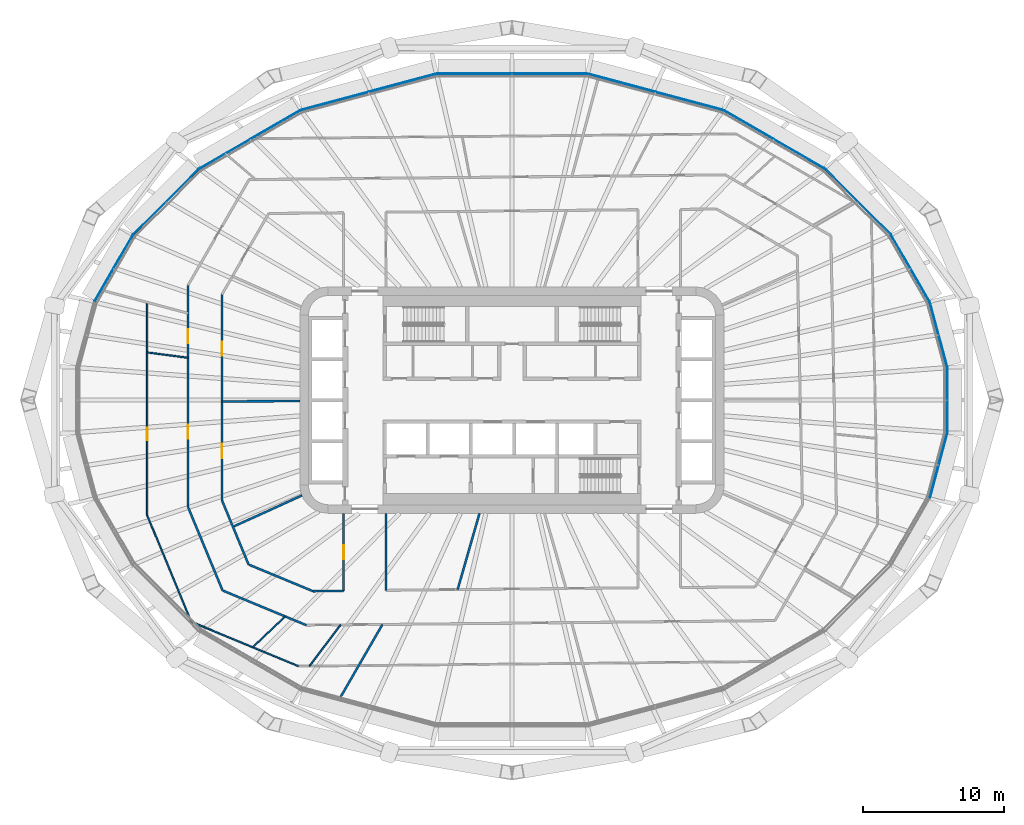
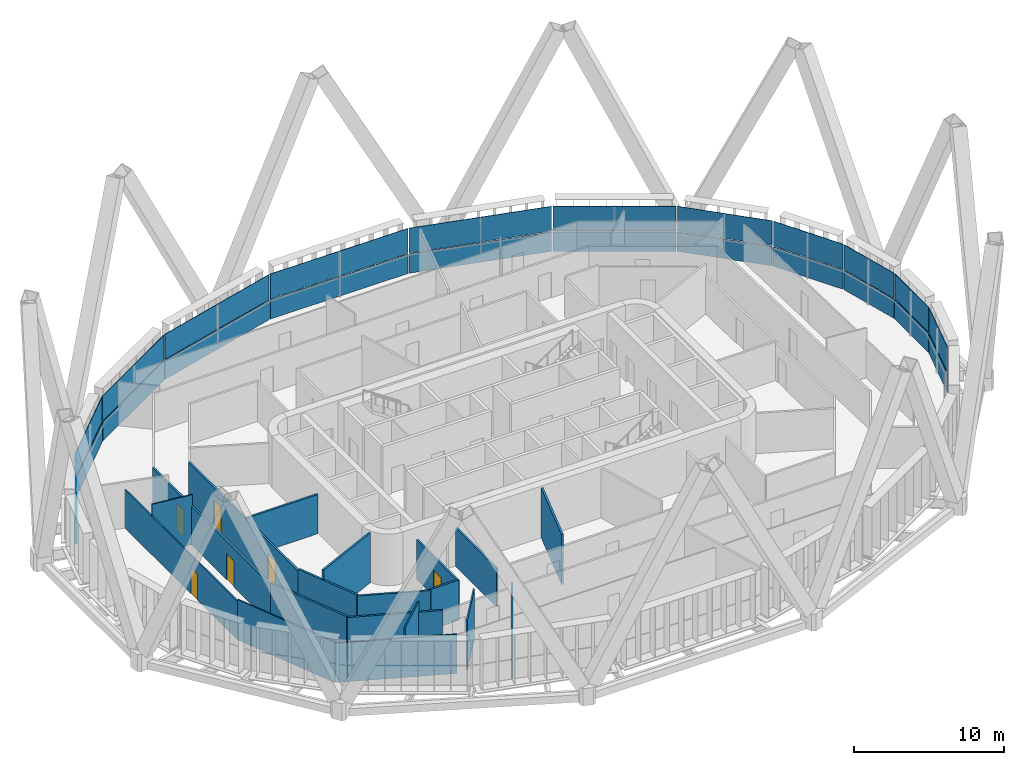
# One storey, part 13 of 25: 24 plates, 19 walls, 6 doors, 6 openings, 12 elements without a shape of their own.
"""IFC4 building model written with IfcOpenShell, lengths in metres."""

from ifc_helpers import new_model, si_unit, direction, frame, frame_2d, origin, place, context, subcontext, project, spatial, polyline, rectangle, outline, extrude, material, layer, layer_set, type_object, element, fill, aggregate, save


model = new_model("IFC4")

# Units and contexts
model_context = context("Model", 3, precision=1e-05, world=origin(), true_north=direction((0.0, 1.0)))
body_context = subcontext(model_context, "Body", "Model", "MODEL_VIEW")
ifc_project = project(units=[si_unit("LENGTHUNIT", "METRE"), si_unit("AREAUNIT", "SQUARE_METRE"), si_unit("VOLUMEUNIT", "CUBIC_METRE"), si_unit("PLANEANGLEUNIT", "RADIAN"), si_unit("MASSUNIT", "GRAM", prefix="KILO")], contexts=[model_context])

# Site, building, storey
site_placement = place(None, origin())
site = spatial("IfcSite", under=ifc_project, at=site_placement, CompositionType="ELEMENT")
building_placement = place(site_placement, origin())
building = spatial("IfcBuilding", under=site, at=building_placement, Name="Sahrelin Media Tower", CompositionType="ELEMENT")
storey_placement = place(building_placement, frame((0.0, 0.0, 63.0)))
storey = spatial("IfcBuildingStorey", under=building, at=storey_placement, Name="L10", CompositionType="ELEMENT", Elevation=63.0)

# Curtain wall, plate
ifc_material_1 = material(Name="Champagne anodised aluminium 6063-T6", Category="aluminium")
ifc_layer_1 = layer(ifc_material_1, 0.14990234375)
ifc_layer_set_1 = layer_set([ifc_layer_1], Name="Tower ribbon curtain wall")
curtain_wall_type = type_object("IfcCurtainWallType", Name="Tower ribbon curtain wall", PredefinedType="NOTDEFINED", material=ifc_layer_set_1)
curtain_wall_1_placement = place(storey_placement, frame((30.790283203125, 0.0, 0.0), z_axis=(0.0, 0.0, 1.0), x_axis=(1.0, 0.0, 0.0)))
curtain_wall_1 = element("IfcCurtainWall", 1, at=curtain_wall_1_placement, inside=storey, type_object=curtain_wall_type, Name="L10:CW:L10-00", PredefinedType="NOTDEFINED")
ifc_material_2 = material(Name="Clear low-iron glazing", Category="glass")
ifc_layer_2 = layer(ifc_material_2, 0.0400390625)
ifc_layer_set_2 = layer_set([ifc_layer_2], Name="Glazing panel 40 mm CW1")
plate_type_1 = type_object("IfcPlateType", Name="Glazing panel 40 mm CW1", PredefinedType="CURTAIN_PANEL", material=ifc_layer_set_2)
plate_1_placement = place(storey_placement, frame((30.810302734375, -2.244384765625, 1.6298828125), z_axis=(1.0, 0.0, 0.0), x_axis=(0.0, 1.0, 0.0)))
plate_1 = element("IfcPlate", 2, at=plate_1_placement, type_object=plate_type_1, Name="L10:CWP2:L10-00", PredefinedType="CURTAIN_PANEL", context=body_context, shape_type="SweptSolid", body=[
    extrude(outline(polyline([(0.0, 0.0), (4.48876953125, 0.0), (4.48876953125, 2.018798828125), (0.0, 2.018798828125), (0.0, 0.0)])), origin(), (0.0, 0.0, -1.0), 0.0400390625),
])

curtain_wall_2_placement = place(storey_placement, frame((30.169189453125, 4.612548828125, 0.0), z_axis=(0.0, 0.0, 1.0), x_axis=(1.0, 0.0, 0.0)))
curtain_wall_2 = element("IfcCurtainWall", 3, at=curtain_wall_2_placement, inside=storey, type_object=curtain_wall_type, Name="L10:CW:L10-01", PredefinedType="NOTDEFINED")
plate_2_placement = place(storey_placement, frame((30.796630859375, 2.347900390625, 1.6298828125), z_axis=(0.96593251702, 0.258794073665, 0.0), x_axis=(-0.258794073665, 0.96593251702, 0.0)))
plate_2 = element("IfcPlate", 4, at=plate_2_placement, type_object=plate_type_1, Name="L10:CWP2:L10-01", PredefinedType="CURTAIN_PANEL", context=body_context, shape_type="SweptSolid", body=[
    extrude(outline(polyline([(0.0, 0.0), (4.699951171875, 0.0), (4.699951171875, 2.018798828125), (0.0, 2.018798828125), (0.0, 0.0)])), origin(), (0.0, 0.0, -1.0), 0.0400390625),
])

curtain_wall_3_placement = place(storey_placement, frame((28.181884765625, 9.296630859375, 0.0), z_axis=(0.0, 0.0, 1.0), x_axis=(1.0, 0.0, 0.0)))
curtain_wall_3 = element("IfcCurtainWall", 5, at=curtain_wall_3_placement, inside=storey, type_object=curtain_wall_type, Name="L10:CW:L10-02", PredefinedType="NOTDEFINED")
plate_3_placement = place(storey_placement, frame((29.540283203125, 6.98388671875, 1.6298828125), z_axis=(0.866041582202, 0.499971977112, 0.0), x_axis=(-0.499971977112, 0.866041582202, 0.0)))
plate_3 = element("IfcPlate", 6, at=plate_3_placement, type_object=plate_type_1, Name="L10:CWP2:L10-02", PredefinedType="CURTAIN_PANEL", context=body_context, shape_type="SweptSolid", body=[
    extrude(outline(polyline([(0.0, 0.0), (5.364013671875, 0.0), (5.364013671875, 2.018798828125), (0.0, 2.018798828125), (0.0, 0.0)])), origin(), (0.0, 0.0, -1.0), 0.0400390625),
])

curtain_wall_4_placement = place(storey_placement, frame((24.46728515625, 14.011474609375, 0.0), z_axis=(0.0, 0.0, 1.0), x_axis=(1.0, 0.0, 0.0)))
curtain_wall_4 = element("IfcCurtainWall", 7, at=curtain_wall_4_placement, inside=storey, type_object=curtain_wall_type, Name="L10:CW:L10-03", PredefinedType="NOTDEFINED")
plate_4_placement = place(storey_placement, frame((26.794921875, 11.712158203125, 1.6298828125), z_axis=(0.707088126231, 0.70712543565, 0.0), x_axis=(-0.70712543565, 0.707088126231, 0.0)))
plate_4 = element("IfcPlate", 8, at=plate_4_placement, type_object=plate_type_1, Name="L10:CWP2:L10-03", PredefinedType="CURTAIN_PANEL", context=body_context, shape_type="SweptSolid", body=[
    extrude(outline(polyline([(0.0, 0.0), (6.543701171875, 0.0), (6.543701171875, 2.018798828125), (0.0, 2.018798828125), (0.0, 0.0)])), origin(), (0.0, 0.0, -1.0), 0.0400390625),
])

curtain_wall_5_placement = place(storey_placement, frame((18.529296875, 18.432373046875, 0.0), z_axis=(0.0, 0.0, 1.0), x_axis=(1.0, 0.0, 0.0)))
curtain_wall_5 = element("IfcCurtainWall", 9, at=curtain_wall_5_placement, inside=storey, type_object=curtain_wall_type, Name="L10:CW:L10-04", PredefinedType="NOTDEFINED")
plate_5_placement = place(storey_placement, frame((22.0849609375, 16.402587890625, 1.6298828125), z_axis=(0.500019263395, 0.866014281772, 0.0), x_axis=(-0.866014281772, 0.500019263395, 0.0)))
plate_5 = element("IfcPlate", 10, at=plate_5_placement, type_object=plate_type_1, Name="L10:CWP2:L10-04", PredefinedType="CURTAIN_PANEL", context=body_context, shape_type="SweptSolid", body=[
    extrude(outline(polyline([(0.0, 0.0), (8.188232421875, 0.0), (8.188232421875, 2.018798828125), (0.0, 2.018798828125), (0.0, 0.0)])), origin(), (0.0, 0.0, -1.0), 0.0400390625),
])

curtain_wall_6_placement = place(storey_placement, frame((10.139404296875, 21.791015625, 0.0), z_axis=(0.0, 0.0, 1.0), x_axis=(1.0, 0.0, 0.0)))
curtain_wall_6 = element("IfcCurtainWall", 11, at=curtain_wall_6_placement, inside=storey, type_object=curtain_wall_type, Name="L10:CW:L10-05", PredefinedType="NOTDEFINED")
plate_6_placement = place(storey_placement, frame((14.8974609375, 20.536865234375, 1.6298828125), z_axis=(0.258805115102, 0.965929558714, 0.0), x_axis=(-0.965929558714, 0.258805115102, 0.0)))
plate_6 = element("IfcPlate", 12, at=plate_6_placement, type_object=plate_type_1, Name="L10:CWP2:L10-05", PredefinedType="CURTAIN_PANEL", context=body_context, shape_type="SweptSolid", body=[
    extrude(outline(polyline([(0.0, 0.0), (9.8408203125, 0.0), (9.8408203125, 2.018798828125), (0.0, 2.018798828125), (0.0, 0.0)])), origin(), (0.0, 0.0, -1.0), 0.0400390625),
])

curtain_wall_7_placement = place(storey_placement, frame((0.0, 23.077392578125, 0.0), z_axis=(0.0, 0.0, 1.0), x_axis=(1.0, 0.0, 0.0)))
curtain_wall_7 = element("IfcCurtainWall", 13, at=curtain_wall_7_placement, inside=storey, type_object=curtain_wall_type, Name="L10:CW:L10-06", PredefinedType="NOTDEFINED")
plate_7_placement = place(storey_placement, frame((5.288330078125, 23.097412109375, 1.6298828125), z_axis=(0.0, 1.0, 0.0), x_axis=(-1.0, 0.0, 0.0)))
plate_7 = element("IfcPlate", 14, at=plate_7_placement, type_object=plate_type_1, Name="L10:CWP2:L10-06", PredefinedType="CURTAIN_PANEL", context=body_context, shape_type="SweptSolid", body=[
    extrude(outline(polyline([(0.0, 0.0), (10.57666015625, 0.0), (10.57666015625, 2.018798828125), (0.0, 2.018798828125), (0.0, 0.0)])), origin(), (0.0, 0.0, -1.0), 0.0400390625),
])

curtain_wall_8_placement = place(storey_placement, frame((-10.139404296875, 21.791015625, 0.0), z_axis=(0.0, 0.0, 1.0), x_axis=(1.0, 0.0, 0.0)))
curtain_wall_8 = element("IfcCurtainWall", 15, at=curtain_wall_8_placement, inside=storey, type_object=curtain_wall_type, Name="L10:CW:L10-07", PredefinedType="NOTDEFINED")
plate_8_placement = place(storey_placement, frame((-5.391845703125, 23.083740234375, 1.6298828125), z_axis=(-0.258805115102, 0.965929558714, 0.0), x_axis=(-0.965929558714, -0.258805115102, 0.0)))
plate_8 = element("IfcPlate", 16, at=plate_8_placement, type_object=plate_type_1, Name="L10:CWP2:L10-07", PredefinedType="CURTAIN_PANEL", context=body_context, shape_type="SweptSolid", body=[
    extrude(outline(polyline([(0.0, 0.0), (9.8408203125, 0.0), (9.8408203125, 2.018798828125), (0.0, 2.018798828125), (0.0, 0.0)])), origin(), (0.0, 0.0, -1.0), 0.0400390625),
])

curtain_wall_9_placement = place(storey_placement, frame((-18.529296875, 18.4326171875, 0.0), z_axis=(0.0, 0.0, 1.0), x_axis=(1.0, 0.0, 0.0)))
curtain_wall_9 = element("IfcCurtainWall", 17, at=curtain_wall_9_placement, inside=storey, type_object=curtain_wall_type, Name="L10:CW:L10-08", PredefinedType="NOTDEFINED")
plate_9_placement = place(storey_placement, frame((-14.993896484375, 20.496826171875, 1.6298828125), z_axis=(-0.500019263395, 0.866014281772, 0.0), x_axis=(-0.866014281772, -0.500019263395, 0.0)))
plate_9 = element("IfcPlate", 18, at=plate_9_placement, type_object=plate_type_1, Name="L10:CWP2:L10-08", PredefinedType="CURTAIN_PANEL", context=body_context, shape_type="SweptSolid", body=[
    extrude(outline(polyline([(0.0, 0.0), (8.188232421875, 0.0), (8.188232421875, 2.018798828125), (0.0, 2.018798828125), (0.0, 0.0)])), origin(), (0.0, 0.0, -1.0), 0.0400390625),
])

curtain_wall_10_placement = place(storey_placement, frame((-24.46728515625, 14.011474609375, 0.0), z_axis=(0.0, 0.0, 1.0), x_axis=(1.0, 0.0, 0.0)))
curtain_wall_10 = element("IfcCurtainWall", 19, at=curtain_wall_10_placement, inside=storey, type_object=curtain_wall_type, Name="L10:CW:L10-09", PredefinedType="NOTDEFINED")
plate_10_placement = place(storey_placement, frame((-22.167724609375, 16.339111328125, 1.6298828125), z_axis=(-0.707088126231, 0.70712543565, 0.0), x_axis=(-0.70712543565, -0.707088126231, 0.0)))
plate_10 = element("IfcPlate", 20, at=plate_10_placement, type_object=plate_type_1, Name="L10:CWP2:L10-09", PredefinedType="CURTAIN_PANEL", context=body_context, shape_type="SweptSolid", body=[
    extrude(outline(polyline([(0.0, 0.0), (6.543701171875, 0.0), (6.543701171875, 2.018798828125), (0.0, 2.018798828125), (0.0, 0.0)])), origin(), (0.0, 0.0, -1.0), 0.0400390625),
])

curtain_wall_11_placement = place(storey_placement, frame((-28.181884765625, 9.296630859375, 0.0), z_axis=(0.0, 0.0, 1.0), x_axis=(1.0, 0.0, 0.0)))
curtain_wall_11 = element("IfcCurtainWall", 21, at=curtain_wall_11_placement, inside=storey, type_object=curtain_wall_type, Name="L10:CW:L10-10", PredefinedType="NOTDEFINED")
plate_11_placement = place(storey_placement, frame((-26.8583984375, 11.62939453125, 1.6298828125), z_axis=(-0.866041582202, 0.499971977112, 0.0), x_axis=(-0.499971977112, -0.866041582202, 0.0)))
plate_11 = element("IfcPlate", 22, at=plate_11_placement, type_object=plate_type_1, Name="L10:CWP2:L10-10", PredefinedType="CURTAIN_PANEL", context=body_context, shape_type="SweptSolid", body=[
    extrude(outline(polyline([(0.0, 0.0), (5.364013671875, 0.0), (5.364013671875, 2.018798828125), (0.0, 2.018798828125), (0.0, 0.0)])), origin(), (0.0, 0.0, -1.0), 0.0400390625),
])

curtain_wall_12_placement = place(storey_placement, frame((30.169189453125, -4.612548828125, 0.0), z_axis=(0.0, 0.0, 1.0), x_axis=(1.0, 0.0, 0.0)))
curtain_wall_12 = element("IfcCurtainWall", 23, at=curtain_wall_12_placement, inside=storey, type_object=curtain_wall_type, Name="L10:CW:L10-23", PredefinedType="NOTDEFINED")
plate_12_placement = place(storey_placement, frame((29.580322265625, -6.8876953125, 1.6298828125), z_axis=(0.96593251702, -0.258794073665, 0.0), x_axis=(0.258794073665, 0.96593251702, 0.0)))
plate_12 = element("IfcPlate", 24, at=plate_12_placement, type_object=plate_type_1, Name="L10:CWP2:L10-23", PredefinedType="CURTAIN_PANEL", context=body_context, shape_type="SweptSolid", body=[
    extrude(outline(polyline([(0.0, 0.0), (4.699951171875, 0.0), (4.699951171875, 2.018798828125), (0.0, 2.018798828125), (0.0, 0.0)])), origin(), (0.0, 0.0, -1.0), 0.0400390625),
])

# Plate
ifc_material_3 = material(Name="Insulated spandrel panel")
ifc_layer_3 = layer(ifc_material_3, 0.06005859375)
ifc_layer_set_3 = layer_set([ifc_layer_3], Name="Spandrel panel 60 mm CW1")
plate_type_2 = type_object("IfcPlateType", Name="Spandrel panel 60 mm CW1", PredefinedType="SHEET", material=ifc_layer_set_3)
plate_13_placement = place(storey_placement, frame((30.810302734375, -2.244384765625, 0.0), z_axis=(1.0, 0.0, 0.0), x_axis=(0.0, 1.0, 0.0)))
plate_13 = element("IfcPlate", 25, at=plate_13_placement, type_object=plate_type_2, Name="L10:CWP1:L10-00", PredefinedType="SHEET", context=body_context, shape_type="SweptSolid", body=[
    extrude(outline(polyline([(0.0, 0.0), (4.48876953125, 0.0), (4.48876953125, 1.570068359375), (0.0, 1.570068359375), (0.0, 0.0)])), origin(), (0.0, 0.0, -1.0), 0.06005859375),
])

aggregate(curtain_wall_1, [plate_13, plate_1])

plate_14_placement = place(storey_placement, frame((30.796630859375, 2.347900390625, 0.0), z_axis=(0.96593251702, 0.258794073665, 0.0), x_axis=(-0.258794073665, 0.96593251702, 0.0)))
plate_14 = element("IfcPlate", 26, at=plate_14_placement, type_object=plate_type_2, Name="L10:CWP1:L10-01", PredefinedType="SHEET", context=body_context, shape_type="SweptSolid", body=[
    extrude(outline(polyline([(0.0, 0.0), (4.699951171875, 0.0), (4.699951171875, 1.570068359375), (0.0, 1.570068359375), (0.0, 0.0)])), origin(), (0.0, 0.0, -1.0), 0.06005859375),
])

aggregate(curtain_wall_2, [plate_14, plate_2])

plate_15_placement = place(storey_placement, frame((29.540283203125, 6.98388671875, 0.0), z_axis=(0.866041582202, 0.499971977112, 0.0), x_axis=(-0.499971977112, 0.866041582202, 0.0)))
plate_15 = element("IfcPlate", 27, at=plate_15_placement, type_object=plate_type_2, Name="L10:CWP1:L10-02", PredefinedType="SHEET", context=body_context, shape_type="SweptSolid", body=[
    extrude(outline(polyline([(0.0, 0.0), (5.364013671875, 0.0), (5.364013671875, 1.570068359375), (0.0, 1.570068359375), (0.0, 0.0)])), origin(), (0.0, 0.0, -1.0), 0.06005859375),
])

aggregate(curtain_wall_3, [plate_15, plate_3])

plate_16_placement = place(storey_placement, frame((26.794921875, 11.712158203125, 0.0), z_axis=(0.707088126231, 0.70712543565, 0.0), x_axis=(-0.70712543565, 0.707088126231, 0.0)))
plate_16 = element("IfcPlate", 28, at=plate_16_placement, type_object=plate_type_2, Name="L10:CWP1:L10-03", PredefinedType="SHEET", context=body_context, shape_type="SweptSolid", body=[
    extrude(outline(polyline([(0.0, 0.0), (6.543701171875, 0.0), (6.543701171875, 1.570068359375), (0.0, 1.570068359375), (0.0, 0.0)])), origin(), (0.0, 0.0, -1.0), 0.06005859375),
])

aggregate(curtain_wall_4, [plate_16, plate_4])

plate_17_placement = place(storey_placement, frame((22.0849609375, 16.402587890625, 0.0), z_axis=(0.500019263395, 0.866014281772, 0.0), x_axis=(-0.866014281772, 0.500019263395, 0.0)))
plate_17 = element("IfcPlate", 29, at=plate_17_placement, type_object=plate_type_2, Name="L10:CWP1:L10-04", PredefinedType="SHEET", context=body_context, shape_type="SweptSolid", body=[
    extrude(outline(polyline([(0.0, 0.0), (8.188232421875, 0.0), (8.188232421875, 1.570068359375), (0.0, 1.570068359375), (0.0, 0.0)])), origin(), (0.0, 0.0, -1.0), 0.06005859375),
])

aggregate(curtain_wall_5, [plate_17, plate_5])

plate_18_placement = place(storey_placement, frame((14.8974609375, 20.536865234375, 0.0), z_axis=(0.258805115102, 0.965929558714, 0.0), x_axis=(-0.965929558714, 0.258805115102, 0.0)))
plate_18 = element("IfcPlate", 30, at=plate_18_placement, type_object=plate_type_2, Name="L10:CWP1:L10-05", PredefinedType="SHEET", context=body_context, shape_type="SweptSolid", body=[
    extrude(outline(polyline([(0.0, 0.0), (9.8408203125, 0.0), (9.8408203125, 1.570068359375), (0.0, 1.570068359375), (0.0, 0.0)])), origin(), (0.0, 0.0, -1.0), 0.06005859375),
])

aggregate(curtain_wall_6, [plate_18, plate_6])

plate_19_placement = place(storey_placement, frame((5.288330078125, 23.097412109375, 0.0), z_axis=(0.0, 1.0, 0.0), x_axis=(-1.0, 0.0, 0.0)))
plate_19 = element("IfcPlate", 31, at=plate_19_placement, type_object=plate_type_2, Name="L10:CWP1:L10-06", PredefinedType="SHEET", context=body_context, shape_type="SweptSolid", body=[
    extrude(outline(polyline([(0.0, 0.0), (10.57666015625, 0.0), (10.57666015625, 1.570068359375), (0.0, 1.570068359375), (0.0, 0.0)])), origin(), (0.0, 0.0, -1.0), 0.06005859375),
])

aggregate(curtain_wall_7, [plate_19, plate_7])

plate_20_placement = place(storey_placement, frame((-5.391845703125, 23.083740234375, 0.0), z_axis=(-0.258805115102, 0.965929558714, 0.0), x_axis=(-0.965929558714, -0.258805115102, 0.0)))
plate_20 = element("IfcPlate", 32, at=plate_20_placement, type_object=plate_type_2, Name="L10:CWP1:L10-07", PredefinedType="SHEET", context=body_context, shape_type="SweptSolid", body=[
    extrude(outline(polyline([(0.0, 0.0), (9.8408203125, 0.0), (9.8408203125, 1.570068359375), (0.0, 1.570068359375), (0.0, 0.0)])), origin(), (0.0, 0.0, -1.0), 0.06005859375),
])

aggregate(curtain_wall_8, [plate_20, plate_8])

plate_21_placement = place(storey_placement, frame((-14.993896484375, 20.496826171875, 0.0), z_axis=(-0.500019263395, 0.866014281772, 0.0), x_axis=(-0.866014281772, -0.500019263395, 0.0)))
plate_21 = element("IfcPlate", 33, at=plate_21_placement, type_object=plate_type_2, Name="L10:CWP1:L10-08", PredefinedType="SHEET", context=body_context, shape_type="SweptSolid", body=[
    extrude(outline(polyline([(0.0, 0.0), (8.188232421875, 0.0), (8.188232421875, 1.570068359375), (0.0, 1.570068359375), (0.0, 0.0)])), origin(), (0.0, 0.0, -1.0), 0.06005859375),
])

aggregate(curtain_wall_9, [plate_21, plate_9])

plate_22_placement = place(storey_placement, frame((-22.167724609375, 16.339111328125, 0.0), z_axis=(-0.707088126231, 0.70712543565, 0.0), x_axis=(-0.70712543565, -0.707088126231, 0.0)))
plate_22 = element("IfcPlate", 34, at=plate_22_placement, type_object=plate_type_2, Name="L10:CWP1:L10-09", PredefinedType="SHEET", context=body_context, shape_type="SweptSolid", body=[
    extrude(outline(polyline([(0.0, 0.0), (6.543701171875, 0.0), (6.543701171875, 1.570068359375), (0.0, 1.570068359375), (0.0, 0.0)])), origin(), (0.0, 0.0, -1.0), 0.06005859375),
])

aggregate(curtain_wall_10, [plate_22, plate_10])

plate_23_placement = place(storey_placement, frame((-26.8583984375, 11.62939453125, 0.0), z_axis=(-0.866041582202, 0.499971977112, 0.0), x_axis=(-0.499971977112, -0.866041582202, 0.0)))
plate_23 = element("IfcPlate", 35, at=plate_23_placement, type_object=plate_type_2, Name="L10:CWP1:L10-10", PredefinedType="SHEET", context=body_context, shape_type="SweptSolid", body=[
    extrude(outline(polyline([(0.0, 0.0), (5.364013671875, 0.0), (5.364013671875, 1.570068359375), (0.0, 1.570068359375), (0.0, 0.0)])), origin(), (0.0, 0.0, -1.0), 0.06005859375),
])

aggregate(curtain_wall_11, [plate_23, plate_11])

plate_24_placement = place(storey_placement, frame((29.580322265625, -6.8876953125, 0.0), z_axis=(0.96593251702, -0.258794073665, 0.0), x_axis=(0.258794073665, 0.96593251702, 0.0)))
plate_24 = element("IfcPlate", 36, at=plate_24_placement, type_object=plate_type_2, Name="L10:CWP1:L10-23", PredefinedType="SHEET", context=body_context, shape_type="SweptSolid", body=[
    extrude(outline(polyline([(0.0, 0.0), (4.699951171875, 0.0), (4.699951171875, 1.570068359375), (0.0, 1.570068359375), (0.0, 0.0)])), origin(), (0.0, 0.0, -1.0), 0.06005859375),
])

aggregate(curtain_wall_12, [plate_24, plate_12])

# Walls
ifc_material_4 = material(Name="Fire-rated gypsum board partition")
ifc_layer_4 = layer(ifc_material_4, 0.14990234375)
ifc_layer_set_4 = layer_set([ifc_layer_4], Name="Fire-rated partition 150")
wall_type_1 = type_object("IfcWallType", Name="Fire-rated partition 150", PredefinedType="PARTITIONING", material=ifc_layer_set_4)
wall_1_placement = place(storey_placement, frame((-22.89990234375, -7.572021484375, 0.0), z_axis=(0.0, 0.0, 1.0), x_axis=(0.382860357704, -0.923806227788, 0.0)))
element("IfcWall", 37, at=wall_1_placement, inside=storey, type_object=wall_type_1, Name="Wall", PredefinedType="PARTITIONING", context=body_context, shape_type="SweptSolid", body=[
    extrude(rectangle(XDim=6.37353515625, YDim=0.14990234375, at=frame_2d((3.186767578125, 0.0))), origin(), (0.0, 0.0, 1.0), 3.27587890625),
])
wall_2_placement = place(storey_placement, frame((-20.5, -7.094970703125, 0.0), z_axis=(0.0, 0.0, 1.0), x_axis=(0.382878184095, -0.923798839653, 0.0)))
element("IfcWall", 38, at=wall_2_placement, inside=storey, type_object=wall_type_1, Name="Wall", PredefinedType="PARTITIONING", context=body_context, shape_type="SweptSolid", body=[
    extrude(rectangle(XDim=4.901611328125, YDim=0.14990234375, at=frame_2d((2.45068359375, 0.0))), origin(), (0.0, 0.0, 1.0), 3.27587890625),
])
wall_3_placement = place(storey_placement, frame((-20.4599609375, -13.4599609375, 0.0), z_axis=(0.0, 0.0, 1.0), x_axis=(0.923801547606, -0.382871650349, 0.0)))
element("IfcWall", 39, at=wall_3_placement, inside=storey, type_object=wall_type_1, Name="Wall", PredefinedType="PARTITIONING", context=body_context, shape_type="SweptSolid", body=[
    extrude(rectangle(XDim=6.414794921875, YDim=0.14990234375, at=frame_2d((3.20751953125, 0.0))), origin(), (0.0, 0.0, 1.0), 3.195068359375),
])
wall_4_placement = place(storey_placement, frame((-18.623046875, -11.623046875, 0.0), z_axis=(0.0, 0.0, 1.0), x_axis=(0.923816441303, -0.382835712518, 0.0)))
element("IfcWall", 40, at=wall_4_placement, inside=storey, type_object=wall_type_1, Name="Wall", PredefinedType="PARTITIONING", context=body_context, shape_type="SweptSolid", body=[
    extrude(rectangle(XDim=4.930908203125, YDim=0.14990234375, at=frame_2d((2.46533203125, 0.0))), origin(), (0.0, 0.0, 1.0), 3.195068359375),
])
wall_5_placement = place(storey_placement, frame((-20.5, -0.093994140625, 0.0), z_axis=(0.0, 0.0, 1.0), x_axis=(0.999990148138, 0.004438876723, 0.0)))
element("IfcWall", 41, at=wall_5_placement, inside=storey, type_object=wall_type_1, Name="Wall", PredefinedType="PARTITIONING", context=body_context, shape_type="SweptSolid", body=[
    extrude(rectangle(XDim=5.5, YDim=0.14990234375, at=frame_2d((2.75, 0.0))), origin(), (0.0, 0.0, 1.0), 3.195068359375),
])
wall_6_placement = place(storey_placement, frame((-14.068115234375, -13.510986328125, 0.0), z_axis=(0.0, 0.0, 1.0), x_axis=(0.999950911515, 0.009908307647, 0.0)))
element("IfcWall", 42, at=wall_6_placement, inside=storey, type_object=wall_type_1, Name="Wall", PredefinedType="PARTITIONING", context=body_context, shape_type="SweptSolid", body=[
    extrude(rectangle(XDim=2.168212890625, YDim=0.14990234375, at=frame_2d((1.083984375, 0.0))), origin(), (0.0, 0.0, 1.0), 3.27587890625),
])
wall_7_placement = place(storey_placement, frame((-19.72802734375, -8.9580078125, 0.0), z_axis=(0.0, 0.0, 1.0), x_axis=(0.910629511797, 0.413223779863, 0.0)))
element("IfcWall", 43, at=wall_7_placement, inside=storey, type_object=wall_type_1, Name="Wall", PredefinedType="PARTITIONING", context=body_context, shape_type="SweptSolid", body=[
    extrude(rectangle(XDim=5.3681640625, YDim=0.14990234375, at=frame_2d((2.68408203125, 0.0))), origin(), (0.0, 0.0, 1.0), 4.050048828125),
])
wall_8_placement = place(storey_placement, frame((-12.25390625, -21.22412109375, 0.0), z_axis=(0.0, 0.0, 1.0), x_axis=(0.499969398072, 0.866043071095, 0.0)))
element("IfcWall", 44, at=wall_8_placement, inside=storey, type_object=wall_type_1, Name="Wall", PredefinedType="PARTITIONING", context=body_context, shape_type="SweptSolid", body=[
    extrude(rectangle(XDim=6.1904296875, YDim=0.14990234375, at=frame_2d((3.09521484375, 0.0))), origin(), (0.0, 0.0, 1.0), 3.501708984375),
])
wall_9_placement = place(storey_placement, frame((-3.845947265625, -13.39892578125, 0.0), z_axis=(0.0, 0.0, 1.0), x_axis=(0.275914969745, 0.961182048038, 0.0)))
element("IfcWall", 45, at=wall_9_placement, inside=storey, type_object=wall_type_1, Name="Wall", PredefinedType="PARTITIONING", context=body_context, shape_type="SweptSolid", body=[
    extrude(rectangle(XDim=5.616943359375, YDim=0.14990234375, at=frame_2d((2.80859375, 0.0))), origin(), (0.0, 0.0, 1.0), 4.050048828125),
])
wall_10_placement = place(storey_placement, frame((-8.89990234375, -13.448974609375, 0.0), z_axis=(0.0, 0.0, 1.0), x_axis=(0.0, 1.0, 0.0)))
element("IfcWall", 46, at=wall_10_placement, inside=storey, type_object=wall_type_1, Name="Wall", PredefinedType="PARTITIONING", context=body_context, shape_type="SweptSolid", body=[
    extrude(rectangle(XDim=5.448974609375, YDim=0.14990234375, at=frame_2d((2.724609375, 0.0))), origin(), (0.0, 0.0, 1.0), 3.126953125),
])

# Wall, opening, door
wall_11_placement = place(storey_placement, frame((-11.89990234375, -13.489990234375, 0.0), z_axis=(0.0, 0.0, 1.0), x_axis=(0.0, 1.0, 0.0)))
wall_11 = element("IfcWall", 47, at=wall_11_placement, inside=storey, type_object=wall_type_1, Name="Wall", PredefinedType="PARTITIONING", context=body_context, shape_type="SweptSolid", body=[
    extrude(rectangle(XDim=5.489990234375, YDim=0.14990234375, at=frame_2d((2.7451171875, 0.0))), origin(), (0.0, 0.0, 1.0), 3.195068359375),
])
opening_1_placement = place(wall_11_placement, frame((2.2451171875, 0.0, 0.0)))
opening_1 = element("IfcOpeningElement", 48, at=opening_1_placement, cuts=wall_11, Name="Opening L10-D35", PredefinedType="OPENING", context=body_context, shape_type="SweptSolid", body=[
    extrude(rectangle(XDim=1.0, YDim=2.10009765625, at=frame_2d((0.5, 1.050048828125))), frame((0.0, 0.074951171875, 0.0), z_axis=(0.0, -1.0, 0.0), x_axis=(1.0, 0.0, 0.0)), (0.0, 0.0, 1.0), 0.14990234375),
])
ifc_material_5 = material(Name="Steel fire door leaf", Category="steel")
door_type_1 = type_object("IfcDoorType", Name="Fire door 1000 x 2100 EI 60", OperationType="NOTDEFINED", PredefinedType="DOOR", material=ifc_material_5)
door_1_placement = place(opening_1_placement, origin())
door_1 = element("IfcDoor", 49, at=door_1_placement, inside=storey, type_object=door_type_1, Name="Fire door", OperationType="SINGLE_SWING_RIGHT", OverallHeight=2.10009765625, OverallWidth=1.0, PredefinedType="DOOR", context=body_context, shape_type="SweptSolid", body=[
    extrude(rectangle(XDim=1.0, YDim=2.10009765625, at=frame_2d((0.5, 1.050048828125))), frame((0.0, 0.02490234375, 0.0), z_axis=(0.0, -1.0, 0.0), x_axis=(1.0, 0.0, 0.0)), (0.0, 0.0, 1.0), 0.050048828125),
])
fill(opening_1, door_1)

# Wall, openings, doors
wall_12_placement = place(storey_placement, frame((-20.5, -7.094970703125, 0.0), z_axis=(0.0, 0.0, 1.0), x_axis=(0.0, 1.0, 0.0)))
wall_12 = element("IfcWall", 50, at=wall_12_placement, inside=storey, type_object=wall_type_1, Name="Wall", PredefinedType="PARTITIONING", context=body_context, shape_type="SweptSolid", body=[
    extrude(rectangle(XDim=14.569091796875, YDim=0.14990234375, at=frame_2d((7.28466796875, 0.0))), origin(), (0.0, 0.0, 1.0), 3.126953125),
])
opening_2_placement = place(wall_12_placement, frame((10.234375, 0.0, 0.0)))
opening_2 = element("IfcOpeningElement", 51, at=opening_2_placement, cuts=wall_12, Name="Opening L10-D33", PredefinedType="OPENING", context=body_context, shape_type="SweptSolid", body=[
    extrude(rectangle(XDim=1.0, YDim=2.10009765625, at=frame_2d((0.5, 1.050048828125))), frame((0.0, 0.074951171875, 0.0), z_axis=(0.0, -1.0, 0.0), x_axis=(1.0, 0.0, 0.0)), (0.0, 0.0, 1.0), 0.14990234375),
])
opening_3_placement = place(wall_12_placement, frame((3.00048828125, 0.0, 0.0)))
opening_3 = element("IfcOpeningElement", 52, at=opening_3_placement, cuts=wall_12, Name="Opening L10-D34", PredefinedType="OPENING", context=body_context, shape_type="SweptSolid", body=[
    extrude(rectangle(XDim=1.0, YDim=2.10009765625, at=frame_2d((0.5, 1.050048828125))), frame((0.0, 0.074951171875, 0.0), z_axis=(0.0, -1.0, 0.0), x_axis=(1.0, 0.0, 0.0)), (0.0, 0.0, 1.0), 0.14990234375),
])
door_2_placement = place(opening_2_placement, origin())
door_2 = element("IfcDoor", 53, at=door_2_placement, inside=storey, type_object=door_type_1, Name="Fire door", OperationType="SINGLE_SWING_RIGHT", OverallHeight=2.10009765625, OverallWidth=1.0, PredefinedType="DOOR", context=body_context, shape_type="SweptSolid", body=[
    extrude(rectangle(XDim=1.0, YDim=2.10009765625, at=frame_2d((0.5, 1.050048828125))), frame((0.0, 0.02490234375, 0.0), z_axis=(0.0, -1.0, 0.0), x_axis=(1.0, 0.0, 0.0)), (0.0, 0.0, 1.0), 0.050048828125),
])
fill(opening_2, door_2)
door_3_placement = place(opening_3_placement, origin())
door_3 = element("IfcDoor", 54, at=door_3_placement, inside=storey, type_object=door_type_1, Name="Fire door", OperationType="SINGLE_SWING_LEFT", OverallHeight=2.10009765625, OverallWidth=1.0, PredefinedType="DOOR", context=body_context, shape_type="SweptSolid", body=[
    extrude(rectangle(XDim=1.0, YDim=2.10009765625, at=frame_2d((0.5, 1.050048828125))), frame((0.0, 0.02490234375, 0.0), z_axis=(0.0, -1.0, 0.0), x_axis=(1.0, 0.0, 0.0)), (0.0, 0.0, 1.0), 0.050048828125),
])
fill(opening_3, door_3)

wall_13_placement = place(storey_placement, frame((-22.89990234375, -7.572021484375, 0.0), z_axis=(0.0, 0.0, 1.0), x_axis=(0.0, 1.0, 0.0)))
wall_13 = element("IfcWall", 55, at=wall_13_placement, inside=storey, type_object=wall_type_1, Name="Wall", PredefinedType="PARTITIONING", context=body_context, shape_type="SweptSolid", body=[
    extrude(rectangle(XDim=15.68896484375, YDim=0.14990234375, at=frame_2d((7.844482421875, 0.0))), origin(), (0.0, 0.0, 1.0), 3.126953125),
])
opening_4_placement = place(wall_13_placement, frame((11.5830078125, 0.0, 0.0)))
opening_4 = element("IfcOpeningElement", 56, at=opening_4_placement, cuts=wall_13, Name="Opening L10-D40", PredefinedType="OPENING", context=body_context, shape_type="SweptSolid", body=[
    extrude(rectangle(XDim=1.0, YDim=2.10009765625, at=frame_2d((0.5, 1.050048828125))), frame((0.0, 0.074951171875, 0.0), z_axis=(0.0, -1.0, 0.0), x_axis=(1.0, 0.0, 0.0)), (0.0, 0.0, 1.0), 0.14990234375),
])
opening_5_placement = place(wall_13_placement, frame((4.831787109375, 0.0, 0.0)))
opening_5 = element("IfcOpeningElement", 57, at=opening_5_placement, cuts=wall_13, Name="Opening L10-D41", PredefinedType="OPENING", context=body_context, shape_type="SweptSolid", body=[
    extrude(rectangle(XDim=1.0, YDim=2.10009765625, at=frame_2d((0.5, 1.050048828125))), frame((0.0, 0.074951171875, 0.0), z_axis=(0.0, -1.0, 0.0), x_axis=(1.0, 0.0, 0.0)), (0.0, 0.0, 1.0), 0.14990234375),
])
door_4_placement = place(opening_4_placement, origin())
door_4 = element("IfcDoor", 58, at=door_4_placement, inside=storey, type_object=door_type_1, Name="Fire door", OperationType="SINGLE_SWING_LEFT", OverallHeight=2.10009765625, OverallWidth=1.0, PredefinedType="DOOR", context=body_context, shape_type="SweptSolid", body=[
    extrude(rectangle(XDim=1.0, YDim=2.10009765625, at=frame_2d((0.5, 1.050048828125))), frame((0.0, 0.02490234375, 0.0), z_axis=(0.0, -1.0, 0.0), x_axis=(1.0, 0.0, 0.0)), (0.0, 0.0, 1.0), 0.050048828125),
])
fill(opening_4, door_4)
door_5_placement = place(opening_5_placement, origin())
door_5 = element("IfcDoor", 59, at=door_5_placement, inside=storey, type_object=door_type_1, Name="Fire door", OperationType="SINGLE_SWING_RIGHT", OverallHeight=2.10009765625, OverallWidth=1.0, PredefinedType="DOOR", context=body_context, shape_type="SweptSolid", body=[
    extrude(rectangle(XDim=1.0, YDim=2.10009765625, at=frame_2d((0.5, 1.050048828125))), frame((0.0, 0.02490234375, 0.0), z_axis=(0.0, -1.0, 0.0), x_axis=(1.0, 0.0, 0.0)), (0.0, 0.0, 1.0), 0.050048828125),
])
fill(opening_5, door_5)

# Walls
ifc_material_6 = material(Name="Gypsum board partition")
ifc_layer_5 = layer(ifc_material_6, 0.10009765625)
ifc_layer_set_5 = layer_set([ifc_layer_5], Name="Partition 100")
wall_type_2 = type_object("IfcWallType", Name="Partition 100", PredefinedType="PARTITIONING", material=ifc_layer_set_5)
wall_14_placement = place(storey_placement, frame((-25.7900390625, -8.14697265625, 0.0), z_axis=(0.0, 0.0, 1.0), x_axis=(0.382777969207, -0.923840368402, 0.0)))
element("IfcWall", 60, at=wall_14_placement, inside=storey, type_object=wall_type_2, Name="Wall", PredefinedType="PARTITIONING", context=body_context, shape_type="SweptSolid", body=[
    extrude(rectangle(XDim=8.1455078125, YDim=0.10009765625, at=frame_2d((4.07275390625, 0.0))), origin(), (0.0, 0.0, 1.0), 3.27587890625),
])
wall_15_placement = place(storey_placement, frame((-22.671875, -15.671875, 0.0), z_axis=(0.0, 0.0, 1.0), x_axis=(0.923807088213, -0.382858281572, 0.0)))
element("IfcWall", 61, at=wall_15_placement, inside=storey, type_object=wall_type_2, Name="Wall", PredefinedType="PARTITIONING", context=body_context, shape_type="SweptSolid", body=[
    extrude(rectangle(XDim=8.201904296875, YDim=0.10009765625, at=frame_2d((4.10107421875, 0.0))), origin(), (0.0, 0.0, 1.0), 3.195068359375),
])
wall_16_placement = place(storey_placement, frame((-25.7900390625, 3.367919921875, 0.0), z_axis=(0.0, 0.0, 1.0), x_axis=(0.991601345334, -0.129332022064, 0.0)))
element("IfcWall", 62, at=wall_16_placement, inside=storey, type_object=wall_type_2, Name="Wall", PredefinedType="PARTITIONING", context=body_context, shape_type="SweptSolid", body=[
    extrude(rectangle(XDim=2.91455078125, YDim=0.10009765625, at=frame_2d((1.457275390625, 0.0))), origin(), (0.0, 0.0, 1.0), 4.050048828125),
])
wall_17_placement = place(storey_placement, frame((-18.33203125, -17.469970703125, 0.0), z_axis=(0.0, 0.0, 1.0), x_axis=(0.72386407588, 0.689942606056, 0.0)))
element("IfcWall", 63, at=wall_17_placement, inside=storey, type_object=wall_type_2, Name="Wall", PredefinedType="PARTITIONING", context=body_context, shape_type="SweptSolid", body=[
    extrude(rectangle(XDim=3.15966796875, YDim=0.10009765625, at=frame_2d((1.579833984375, 0.0))), origin(), (0.0, 0.0, 1.0), 4.050048828125),
])
wall_18_placement = place(storey_placement, frame((-14.3291015625, -18.803955078125, 0.0), z_axis=(0.0, 0.0, 1.0), x_axis=(0.606117553719, 0.795375075718, 0.0)))
element("IfcWall", 64, at=wall_18_placement, inside=storey, type_object=wall_type_2, Name="Wall", PredefinedType="PARTITIONING", context=body_context, shape_type="SweptSolid", body=[
    extrude(rectangle(XDim=3.660888671875, YDim=0.10009765625, at=frame_2d((1.83056640625, 0.0))), origin(), (0.0, 0.0, 1.0), 4.050048828125),
])

# Wall, opening, door
wall_19_placement = place(storey_placement, frame((-25.7900390625, -8.14697265625, 0.0), z_axis=(0.0, 0.0, 1.0), x_axis=(0.0, 1.0, 0.0)))
wall_19 = element("IfcWall", 65, at=wall_19_placement, inside=storey, type_object=wall_type_2, Name="Wall", PredefinedType="PARTITIONING", context=body_context, shape_type="SweptSolid", body=[
    extrude(rectangle(XDim=15.056884765625, YDim=0.10009765625, at=frame_2d((7.5283203125, 0.0))), origin(), (0.0, 0.0, 1.0), 3.126953125),
])
opening_6_placement = place(wall_19_placement, frame((5.3076171875, 0.0, 0.0)))
opening_6 = element("IfcOpeningElement", 66, at=opening_6_placement, cuts=wall_19, Name="Opening L10-D44", PredefinedType="OPENING", context=body_context, shape_type="SweptSolid", body=[
    extrude(rectangle(XDim=0.89990234375, YDim=2.10009765625, at=frame_2d((0.449951171875, 1.050048828125))), frame((0.0, 0.050048828125, 0.0), z_axis=(0.0, -1.0, 0.0), x_axis=(1.0, 0.0, 0.0)), (0.0, 0.0, 1.0), 0.10009765625),
])
ifc_material_7 = material(Name="Timber door leaf", Category="wood")
door_type_2 = type_object("IfcDoorType", Name="Single door 900 x 2100", OperationType="NOTDEFINED", PredefinedType="DOOR", material=ifc_material_7)
door_6_placement = place(opening_6_placement, origin())
door_6 = element("IfcDoor", 67, at=door_6_placement, inside=storey, type_object=door_type_2, Name="Single door", OperationType="SINGLE_SWING_LEFT", OverallHeight=2.10009765625, OverallWidth=0.89990234375, PredefinedType="DOOR", context=body_context, shape_type="SweptSolid", body=[
    extrude(rectangle(XDim=0.89990234375, YDim=2.10009765625, at=frame_2d((0.449951171875, 1.050048828125))), frame((0.0, 0.02490234375, 0.0), z_axis=(0.0, -1.0, 0.0), x_axis=(1.0, 0.0, 0.0)), (0.0, 0.0, 1.0), 0.050048828125),
])
fill(opening_6, door_6)

save(model, "model.ifc")
